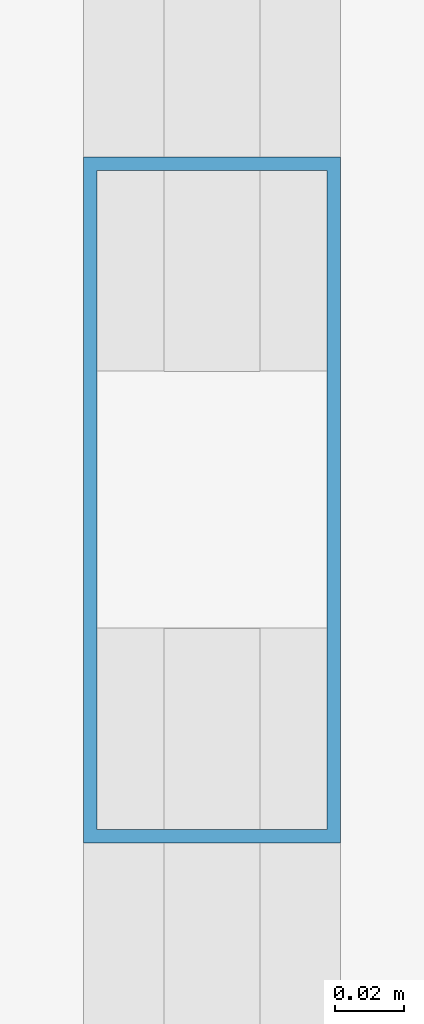
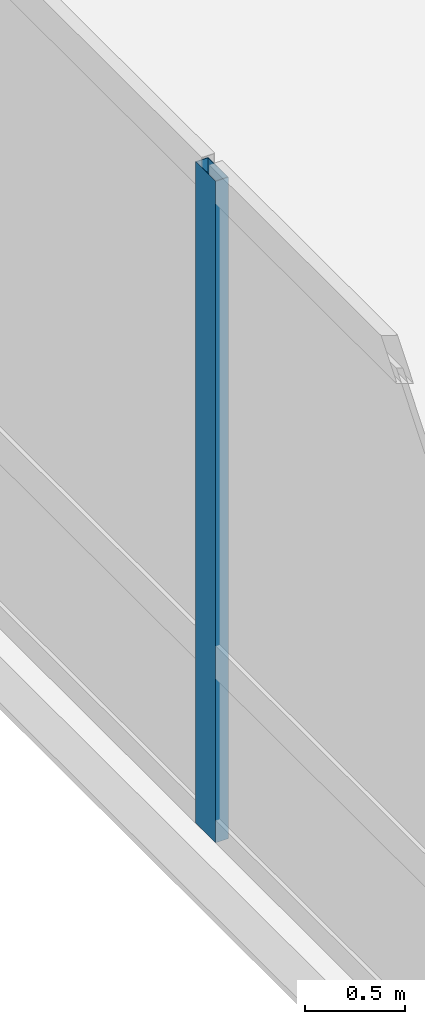
# One storey, part 8 of 31: 1 member, 1 element without a shape of its own.
"""IFC4 building model written with IfcOpenShell, lengths in metres."""

from ifc_helpers import new_model, si_unit, direction, frame, origin, origin_2d, place, context, subcontext, project, spatial, hollow_rectangle, extrude, material, layer, layer_set, material_profile, profile_set, type_object, element, aggregate, save


model = new_model("IFC4")

# Units and contexts
model_context = context("Model", 3, precision=1e-05, world=origin(), true_north=direction((0.0, 1.0)))
body_context = subcontext(model_context, "Body", "Model", "MODEL_VIEW")
ifc_project = project(units=[si_unit("LENGTHUNIT", "METRE"), si_unit("AREAUNIT", "SQUARE_METRE"), si_unit("VOLUMEUNIT", "CUBIC_METRE"), si_unit("PLANEANGLEUNIT", "RADIAN"), si_unit("MASSUNIT", "GRAM", prefix="KILO")], contexts=[model_context])

# Site, building, storey
site_placement = place(None, origin())
site = spatial("IfcSite", under=ifc_project, at=site_placement, CompositionType="ELEMENT")
building_placement = place(site_placement, origin())
building = spatial("IfcBuilding", under=site, at=building_placement, Name="Varnelok Gate Tower", CompositionType="ELEMENT")
storey_placement = place(building_placement, frame((0.0, 0.0, 16.199951171875)))
storey = spatial("IfcBuildingStorey", under=building, at=storey_placement, Name="L03", CompositionType="ELEMENT", Elevation=16.199951171875)

# Curtain wall, member
ifc_material = material(Name="Anodized Aluminum Alloy 6063-T6", Category="aluminium")
ifc_layer = layer(ifc_material, 0.179931640625)
ifc_layer_set = layer_set([ifc_layer], Name="Anodized Aluminum Alloy 6063-T6")
curtain_wall_type = type_object("IfcCurtainWallType", Name="CW1-ARCH-PORTAL", PredefinedType="USERDEFINED", material=ifc_layer_set)
curtain_wall_placement = place(storey_placement, origin())
curtain_wall = element("IfcCurtainWall", 1, at=curtain_wall_placement, inside=storey, type_object=curtain_wall_type, Name="L03 Podium Portal Curtain Wall W", ObjectType="UNITISED CURTAIN WALL", PredefinedType="USERDEFINED")
ifc_material_profile = material_profile(ifc_material, hollow_rectangle(XDim=0.074951171875, YDim=0.199951171875, WallThickness=0.00390625, at=origin_2d()), Name="ALU200X75X4")
ifc_profile_set = profile_set([ifc_material_profile], Name="Anodized Aluminum Alloy 6063-T6")
member_type = type_object("IfcMemberType", Name="CW-MULL-200", PredefinedType="MULLION", material=ifc_profile_set)
member_placement = place(storey_placement, frame((0.159912109375, 30.199951171875, 0.0), z_axis=(0.0, 0.0, 1.0), x_axis=(-1.0, 0.0, 0.0)))
member = element("IfcMember", 2, at=member_placement, type_object=member_type, Name="CW1 mullion 4", PredefinedType="MULLION", context=body_context, shape_type="SweptSolid", body=[
    extrude(hollow_rectangle(XDim=0.074951171875, YDim=0.199951171875, WallThickness=0.00390625, at=origin_2d()), origin(), (0.0, 0.0, 1.0), 4.030029296875),
])
aggregate(curtain_wall, [member])

save(model, "model.ifc")
